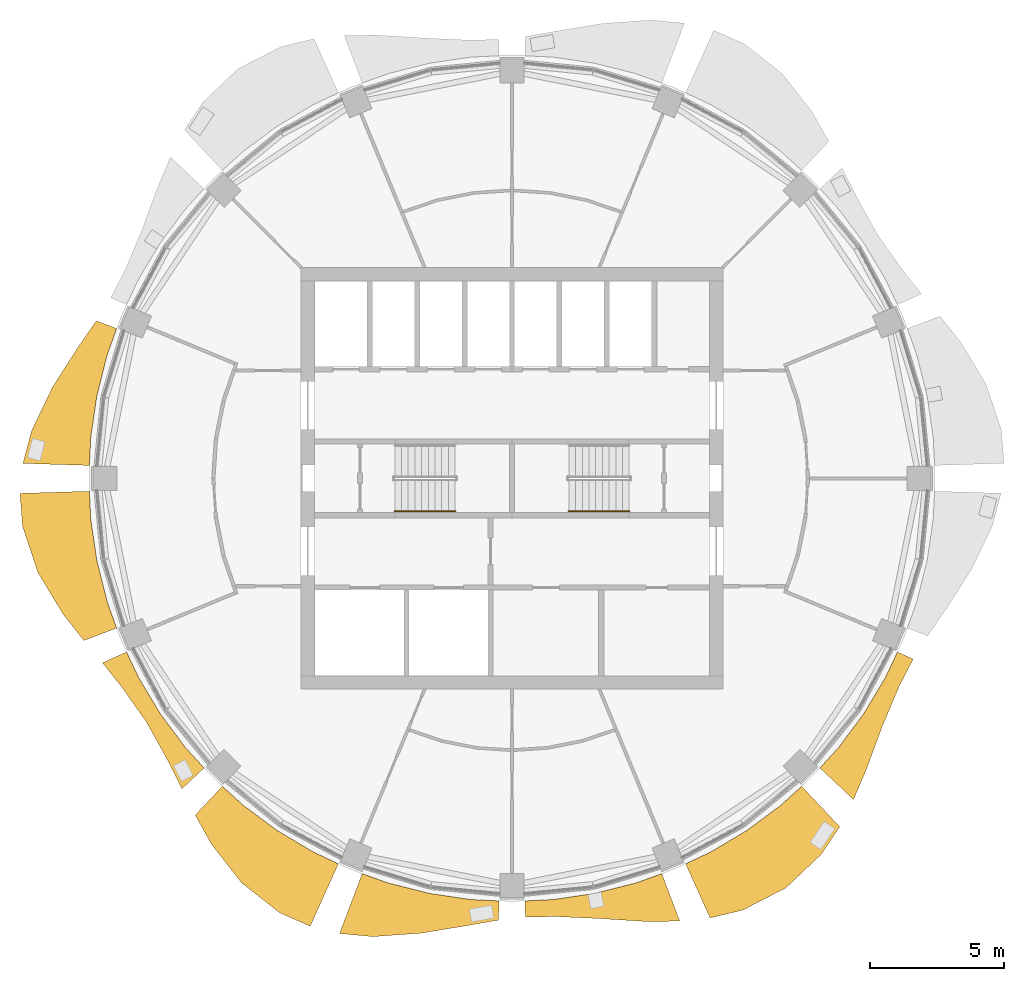
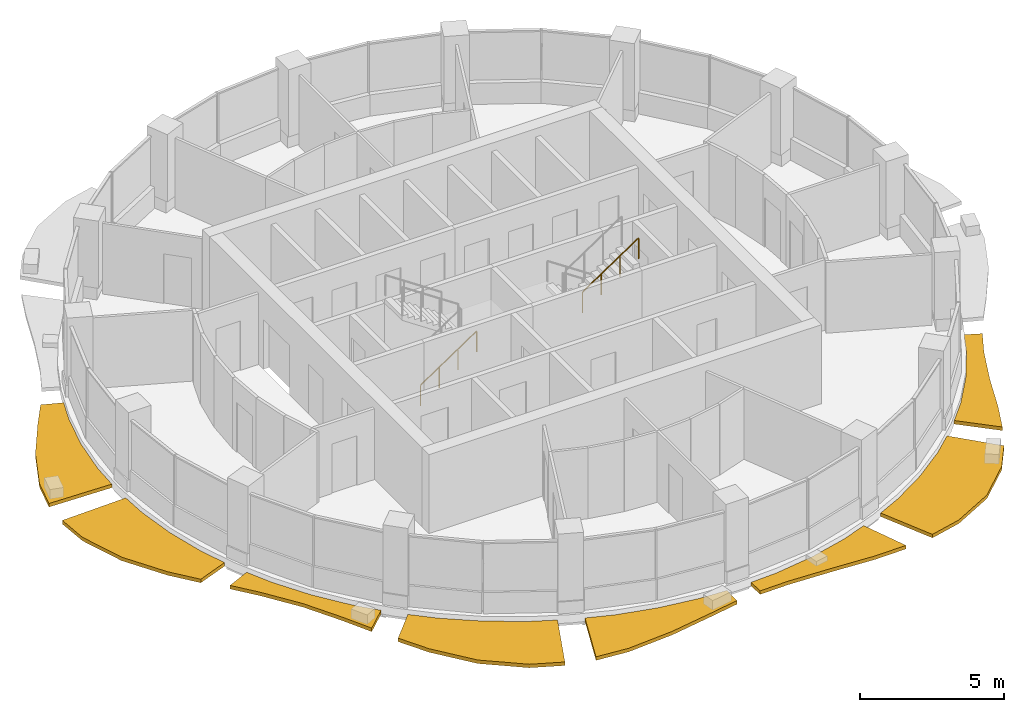
# One storey, part 11 of 14: 8 shading devices, 2 railings.
"""IFC4 building model written with IfcOpenShell, lengths in metres."""

from ifc_helpers import new_model, si_unit, direction, frame, origin, origin_2d, place, context, subcontext, project, spatial, polyline, circle, outline, extrude, material, type_object, element, save


model = new_model("IFC4")

# Units and contexts
model_context = context("Model", 3, precision=1e-05, world=origin(), true_north=direction((0.0, 1.0)))
body_context = subcontext(model_context, "Body", "Model", "MODEL_VIEW")
ifc_project = project(units=[si_unit("LENGTHUNIT", "METRE"), si_unit("AREAUNIT", "SQUARE_METRE"), si_unit("VOLUMEUNIT", "CUBIC_METRE"), si_unit("PLANEANGLEUNIT", "RADIAN"), si_unit("MASSUNIT", "GRAM", prefix="KILO")], contexts=[model_context])

# Site, building, storey
site_placement = place(None, origin())
site = spatial("IfcSite", under=ifc_project, at=site_placement, CompositionType="ELEMENT")
building_placement = place(site_placement, origin())
building = spatial("IfcBuilding", under=site, at=building_placement, Name="Polderwave Tower", CompositionType="ELEMENT")
storey_placement = place(building_placement, frame((0.0, 0.0, 217.800048828125)))
storey = spatial("IfcBuildingStorey", under=building, at=storey_placement, Name="L59", CompositionType="ELEMENT", Elevation=217.800048828125)

# Railings
ifc_material_1 = material(Name="Stainless steel", Category="steel")
railing_type = type_object("IfcRailingType", Name="Stair handrail 900", PredefinedType="HANDRAIL", material=ifc_material_1)
railing_1_placement = place(storey_placement, frame((-4.3740234375, -1.22509765625, 0.16748046875)))
element("IfcRailing", 1, at=railing_1_placement, inside=storey, type_object=railing_type, Name="L59 ST-A stair handrail 1", PredefinedType="HANDRAIL", context=body_context, shape_type="SweptSolid", body=[
    extrude(circle(Radius=0.02392578125, at=origin_2d()), frame((0.0, 0.0, 0.8759765625), z_axis=(0.830758306289, 0.0, 0.556633305266), x_axis=(0.0, 1.0, 0.0)), (0.0, 0.0, 1.0), 2.708251953125),
    extrude(circle(Radius=0.02099609375, at=origin_2d()), origin(), (0.0, 0.0, 1.0), 0.851806640625),
    extrude(circle(Radius=0.02099609375, at=origin_2d()), frame((0.75, 0.0, 0.50244140625)), (0.0, 0.0, 1.0), 0.851806640625),
    extrude(circle(Radius=0.02099609375, at=origin_2d()), frame((1.5, 0.0, 1.005126953125)), (0.0, 0.0, 1.0), 0.851806640625),
    extrude(circle(Radius=0.02099609375, at=origin_2d()), frame((2.25, 0.0, 1.507568359375)), (0.0, 0.0, 1.0), 0.851806640625),
])
railing_2_placement = place(storey_placement, frame((2.1240234375, -1.22509765625, 1.842529296875)))
element("IfcRailing", 2, at=railing_2_placement, inside=storey, type_object=railing_type, Name="L59 ST-B stair handrail 2", PredefinedType="HANDRAIL", context=body_context, shape_type="SweptSolid", body=[
    extrude(circle(Radius=0.02392578125, at=origin_2d()), frame((0.0, 0.0, 0.8759765625), z_axis=(0.830799990696, 0.0, 0.556571087517), x_axis=(0.0, 1.0, 0.0)), (0.0, 0.0, 1.0), 2.708251953125),
    extrude(circle(Radius=0.02099609375, at=origin_2d()), origin(), (0.0, 0.0, 1.0), 0.851806640625),
    extrude(circle(Radius=0.02099609375, at=origin_2d()), frame((0.75, 0.0, 0.50244140625)), (0.0, 0.0, 1.0), 0.851806640625),
    extrude(circle(Radius=0.02099609375, at=origin_2d()), frame((1.5, 0.0, 1.0048828125)), (0.0, 0.0, 1.0), 0.851806640625),
    extrude(circle(Radius=0.02099609375, at=origin_2d()), frame((2.25, 0.0, 1.50732421875)), (0.0, 0.0, 1.0), 0.851806640625),
])

# Shading devices
ifc_material_2 = material(Name="Terracotta", Category="masonry")
shading_device_type = type_object("IfcShadingDeviceType", Name="Terracotta sunshade band", PredefinedType="USERDEFINED", material=ifc_material_2)
shading_device_1_placement = place(storey_placement, frame((0.0, 0.0, -0.35009765625)))
element("IfcShadingDevice", 3, at=shading_device_1_placement, inside=storey, type_object=shading_device_type, Name="Sunshade band L59 8", ObjectType="SUNSHADE", PredefinedType="USERDEFINED", context=body_context, shape_type="SweptSolid", body=[
    extrude(outline(polyline([(-14.759521484375, 5.5927734375), (-15.11962890625, 4.58642578125), (-15.496337890625, 3.08251953125), (-15.723876953125, 1.548583984375), (-15.7763671875, 0.481201171875), (-18.25830078125, 0.556884765625), (-17.939208984375, 1.766845703125), (-17.1513671875, 3.41162109375), (-16.190673828125, 4.911376953125), (-15.51904296875, 5.88037109375), (-14.759521484375, 5.5927734375)])), origin(), (0.0, 0.0, 1.0), 0.150146484375),
])
shading_device_2_placement = place(storey_placement, frame((0.0, 0.0, -0.35009765625)))
element("IfcShadingDevice", 4, at=shading_device_2_placement, inside=storey, type_object=shading_device_type, Name="Sunshade band L59 9", ObjectType="SUNSHADE", PredefinedType="USERDEFINED", context=body_context, shape_type="SweptSolid", body=[
    extrude(outline(polyline([(-15.7763671875, -0.481201171875), (-15.723876953125, -1.548583984375), (-15.496337890625, -3.08251953125), (-15.11962890625, -4.58642578125), (-14.759521484375, -5.5927734375), (-15.98193359375, -6.055908203125), (-16.754638671875, -5.08251953125), (-17.69580078125, -3.52001953125), (-18.271484375, -1.799560546875), (-18.36767578125, -0.560302734375), (-15.7763671875, -0.481201171875)])), origin(), (0.0, 0.0, 1.0), 0.150146484375),
])
shading_device_3_placement = place(storey_placement, frame((0.0, 0.0, -0.35009765625)))
element("IfcShadingDevice", 5, at=shading_device_3_placement, inside=storey, type_object=shading_device_type, Name="Sunshade band L59 10", ObjectType="SUNSHADE", PredefinedType="USERDEFINED", context=body_context, shape_type="SweptSolid", body=[
    extrude(outline(polyline([(-14.391357421875, -6.48193359375), (-13.934326171875, -7.447998046875), (-13.13720703125, -8.778076171875), (-12.213623046875, -10.0234375), (-11.495849609375, -10.815185546875), (-12.319580078125, -11.590087890625), (-12.84765625, -10.543701171875), (-13.639404296875, -9.113525390625), (-14.572021484375, -7.7890625), (-15.288818359375, -6.88623046875), (-14.391357421875, -6.48193359375)])), origin(), (0.0, 0.0, 1.0), 0.150146484375),
])
shading_device_4_placement = place(storey_placement, frame((0.0, 0.0, -0.35009765625)))
element("IfcShadingDevice", 6, at=shading_device_4_placement, inside=storey, type_object=shading_device_type, Name="Sunshade band L59 11", ObjectType="SUNSHADE", PredefinedType="USERDEFINED", context=body_context, shape_type="SweptSolid", body=[
    extrude(outline(polyline([(-10.815185546875, -11.495849609375), (-10.0234375, -12.213623046875), (-8.778076171875, -13.13720703125), (-7.447998046875, -13.934326171875), (-6.48193359375, -14.391357421875), (-7.53173828125, -16.721923828125), (-8.6708984375, -16.22216796875), (-10.092529296875, -15.104736328125), (-11.216064453125, -13.6669921875), (-11.828125, -12.572509765625), (-10.815185546875, -11.495849609375)])), origin(), (0.0, 0.0, 1.0), 0.150146484375),
])
shading_device_5_placement = place(storey_placement, frame((0.0, 0.0, -0.35009765625)))
element("IfcShadingDevice", 7, at=shading_device_5_placement, inside=storey, type_object=shading_device_type, Name="Sunshade band L59 12", ObjectType="SUNSHADE", PredefinedType="USERDEFINED", context=body_context, shape_type="SweptSolid", body=[
    extrude(outline(polyline([(-5.5927734375, -14.759521484375), (-4.58642578125, -15.11962890625), (-3.08251953125, -15.496337890625), (-1.548583984375, -15.723876953125), (-0.481201171875, -15.7763671875), (-0.503173828125, -16.492919921875), (-1.64404296875, -16.693115234375), (-3.37744140625, -16.97998046875), (-5.1904296875, -17.11083984375), (-6.438720703125, -16.99267578125), (-5.5927734375, -14.759521484375)])), origin(), (0.0, 0.0, 1.0), 0.150146484375),
])
shading_device_6_placement = place(storey_placement, frame((0.0, 0.0, -0.35009765625)))
element("IfcShadingDevice", 8, at=shading_device_6_placement, inside=storey, type_object=shading_device_type, Name="Sunshade band L59 13", ObjectType="SUNSHADE", PredefinedType="USERDEFINED", context=body_context, shape_type="SweptSolid", body=[
    extrude(outline(polyline([(0.481201171875, -15.7763671875), (1.548583984375, -15.723876953125), (3.08251953125, -15.496337890625), (4.58642578125, -15.11962890625), (5.5927734375, -14.759521484375), (6.263427734375, -16.52978515625), (5.019287109375, -16.546875), (3.269287109375, -16.435302734375), (1.611328125, -16.36083984375), (0.499755859375, -16.383544921875), (0.481201171875, -15.7763671875)])), origin(), (0.0, 0.0, 1.0), 0.150146484375),
])
shading_device_7_placement = place(storey_placement, frame((0.0, 0.0, -0.35009765625)))
element("IfcShadingDevice", 9, at=shading_device_7_placement, inside=storey, type_object=shading_device_type, Name="Sunshade band L59 14", ObjectType="SUNSHADE", PredefinedType="USERDEFINED", context=body_context, shape_type="SweptSolid", body=[
    extrude(outline(polyline([(6.48193359375, -14.391357421875), (7.447998046875, -13.934326171875), (8.778076171875, -13.13720703125), (10.0234375, -12.213623046875), (10.815185546875, -11.495849609375), (12.23291015625, -13.002685546875), (11.533203125, -14.052978515625), (10.220458984375, -15.2958984375), (8.61572265625, -16.11865234375), (7.39208984375, -16.41162109375), (6.48193359375, -14.391357421875)])), origin(), (0.0, 0.0, 1.0), 0.150146484375),
])
shading_device_8_placement = place(storey_placement, frame((0.0, 0.0, -0.35009765625)))
element("IfcShadingDevice", 10, at=shading_device_8_placement, inside=storey, type_object=shading_device_type, Name="Sunshade band L59 15", ObjectType="SUNSHADE", PredefinedType="USERDEFINED", context=body_context, shape_type="SweptSolid", body=[
    extrude(outline(polyline([(11.495849609375, -10.815185546875), (12.213623046875, -10.0234375), (13.13720703125, -8.778076171875), (13.934326171875, -7.447998046875), (14.391357421875, -6.48193359375), (14.978271484375, -6.746337890625), (14.46875, -7.733642578125), (13.83056640625, -9.2412109375), (13.23388671875, -10.86083984375), (12.75, -11.9951171875), (11.495849609375, -10.815185546875)])), origin(), (0.0, 0.0, 1.0), 0.150146484375),
])

save(model, "model.ifc")
